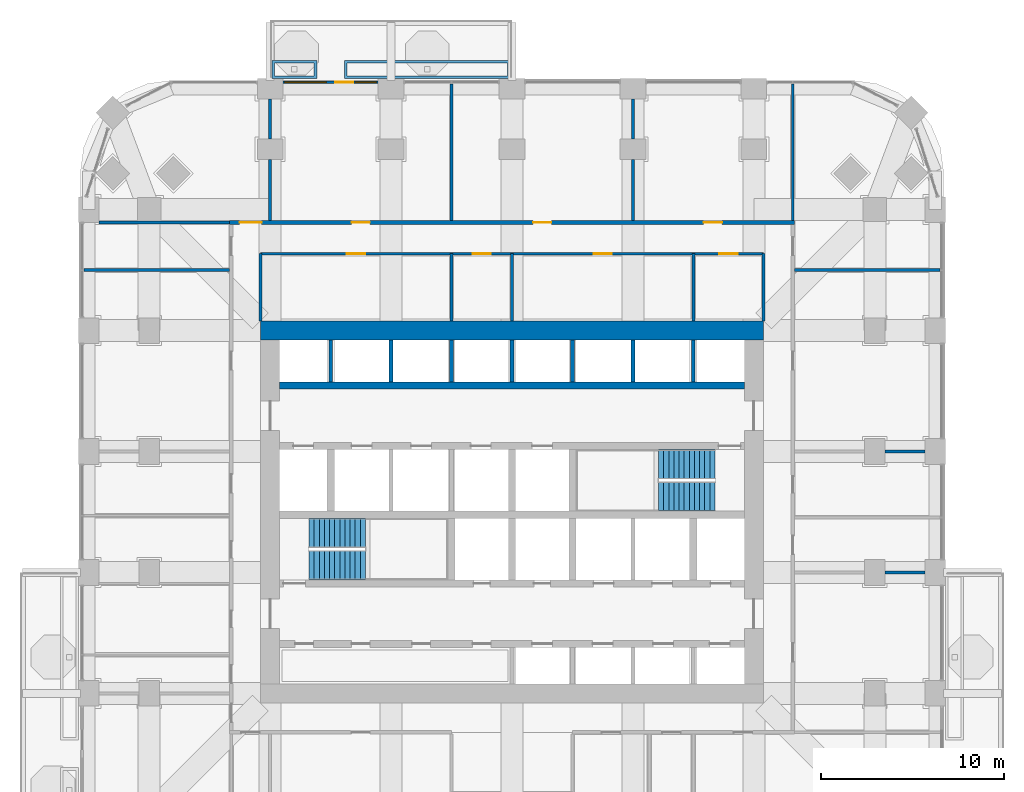
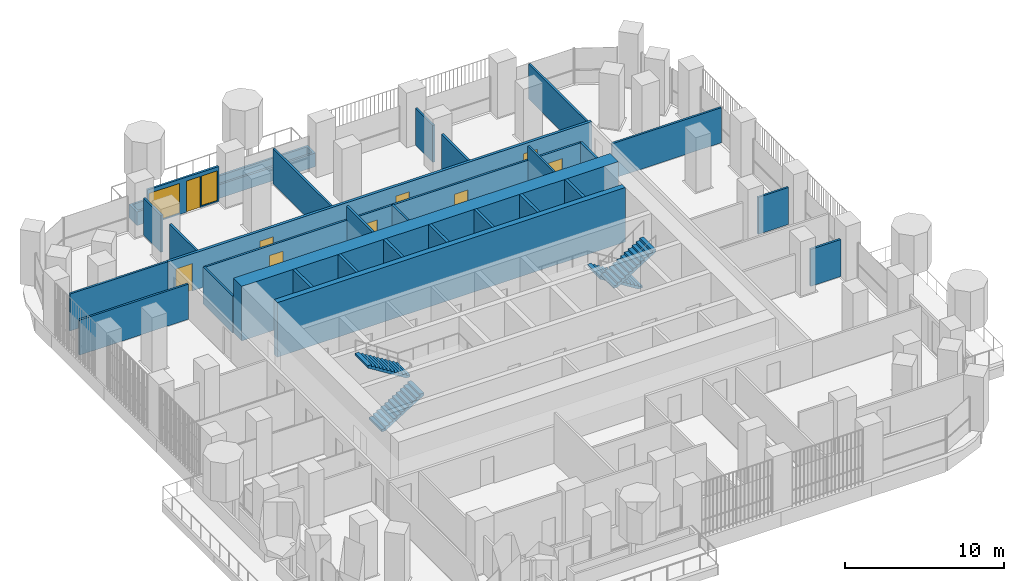
# One storey, part 16 of 21: 30 walls, 9 doors, 4 stair flights, 2 windows, 11 openings, 2 elements without a shape of their own.
"""IFC4 building model written with IfcOpenShell, lengths in metres."""

from ifc_helpers import new_model, si_unit, direction, frame, frame_2d, origin, place, context, subcontext, project, spatial, polyline, rectangle, outline, extrude, material, layer, layer_set, type_object, element, fill, aggregate, save


model = new_model("IFC4")

# Units and contexts
model_context = context("Model", 3, precision=1e-05, world=origin(), true_north=direction((0.0, 1.0)))
body_context = subcontext(model_context, "Body", "Model", "MODEL_VIEW")
ifc_project = project(units=[si_unit("LENGTHUNIT", "METRE"), si_unit("AREAUNIT", "SQUARE_METRE"), si_unit("VOLUMEUNIT", "CUBIC_METRE"), si_unit("PLANEANGLEUNIT", "RADIAN"), si_unit("MASSUNIT", "GRAM", prefix="KILO")], contexts=[model_context])

# Site, building, storey
site_placement = place(None, origin())
site = spatial("IfcSite", under=ifc_project, at=site_placement, CompositionType="ELEMENT")
building_placement = place(site_placement, origin())
building = spatial("IfcBuilding", under=site, at=building_placement, Name="Cobogo Forest Laboratory Tower", CompositionType="ELEMENT")
storey_placement = place(building_placement, frame((0.0, 0.0, 115.800048828125)))
storey = spatial("IfcBuildingStorey", under=building, at=storey_placement, Name="L26", CompositionType="ELEMENT", Elevation=115.800048828125)

# Walls
ifc_material_1 = material(Name="Concrete HA-50 (C50/60)", Category="concrete")
ifc_layer_1 = layer(ifc_material_1, 0.39990234375)
ifc_layer_set_1 = layer_set([ifc_layer_1], Name="CI400 core inner wall 400")
wall_type_1 = type_object("IfcWallType", Name="CI400 core inner wall 400", PredefinedType="SHEAR", material=ifc_layer_set_1)
wall_1_placement = place(storey_placement, frame((13.72509765625, 30.0, 0.0), z_axis=(0.0, 0.0, 1.0), x_axis=(1.0, 0.0, 0.0)))
element("IfcWall", 1, at=wall_1_placement, inside=storey, type_object=wall_type_1, Name="Core wall CI-30.0 L26", PredefinedType="SHEAR", context=body_context, shape_type="SweptSolid", body=[
    extrude(rectangle(XDim=25.349853515625, YDim=0.39990234375, at=frame_2d((12.6748046875, 0.0))), origin(), (0.0, 0.0, 1.0), 4.199951171875),
])
ifc_layer_2 = layer(ifc_material_1, 1.050048828125)
ifc_layer_set_2 = layer_set([ifc_layer_2], Name="CW1050 core outer wall 1050")
wall_type_2 = type_object("IfcWallType", Name="CW1050 core outer wall 1050", PredefinedType="SHEAR", material=ifc_layer_set_2)
wall_2_placement = place(storey_placement, frame((40.125, 33.0, 0.0), z_axis=(0.0, 0.0, 1.0), x_axis=(-1.0, 0.0, 0.0)))
element("IfcWall", 2, at=wall_2_placement, inside=storey, type_object=wall_type_2, Name="Core wall CO-N L26", PredefinedType="SHEAR", context=body_context, shape_type="SweptSolid", body=[
    extrude(rectangle(XDim=27.449951171875, YDim=1.050048828125, at=frame_2d((13.72509765625, 0.0))), origin(), (0.0, 0.0, 1.0), 4.199951171875),
])

# Wall, openings, door, windows
ifc_material_2 = material(Name="Aluminium framed glazed screen", Category="aluminium")
ifc_layer_3 = layer(ifc_material_2, 0.14990234375)
ifc_layer_set_3 = layer_set([ifc_layer_3], Name="GS1 glazed door screen 150")
wall_type_3 = type_object("IfcWallType", Name="GS1 glazed door screen 150", PredefinedType="SOLIDWALL", material=ifc_layer_set_3)
wall_3_placement = place(storey_placement, frame((19.10009765625, 46.550048828125, 0.0), z_axis=(0.0, 0.0, 1.0), x_axis=(-1.0, 0.0, 0.0)))
wall_3 = element("IfcWall", 3, at=wall_3_placement, inside=storey, type_object=wall_type_3, Name="Door screen BAL-N1 L26", PredefinedType="SOLIDWALL", context=body_context, shape_type="SweptSolid", body=[
    extrude(rectangle(XDim=5.2001953125, YDim=0.14990234375, at=frame_2d((2.60009765625, 0.0))), origin(), (0.0, 0.0, 1.0), 2.699951171875),
])
opening_1_placement = place(wall_3_placement, frame((1.35009765625, 0.0, 0.0)))
opening_1 = element("IfcOpeningElement", 4, at=opening_1_placement, cuts=wall_3, Name="Opening L26-D45", PredefinedType="OPENING", context=body_context, shape_type="SweptSolid", body=[
    extrude(rectangle(XDim=1.0, YDim=2.39990234375, at=frame_2d((0.5, 1.199951171875))), frame((0.0, 0.0849609375, 0.0), z_axis=(0.0, -1.0, 0.0), x_axis=(1.0, 0.0, 0.0)), (0.0, 0.0, 1.0), 0.169921875),
])
opening_2_placement = place(wall_3_placement, frame((0.10009765625, 0.0, 0.10009765625)))
opening_2 = element("IfcOpeningElement", 5, at=opening_2_placement, cuts=wall_3, Name="Opening L26-W08", PredefinedType="OPENING", context=body_context, shape_type="SweptSolid", body=[
    extrude(rectangle(XDim=1.14990234375, YDim=2.300048828125, at=frame_2d((0.574951171875, 1.14990234375))), frame((0.0, 0.0849609375, 0.0), z_axis=(0.0, -1.0, 0.0), x_axis=(1.0, 0.0, 0.0)), (0.0, 0.0, 1.0), 0.169921875),
])
opening_3_placement = place(wall_3_placement, frame((2.85009765625, 0.0, 0.10009765625)))
opening_3 = element("IfcOpeningElement", 6, at=opening_3_placement, cuts=wall_3, Name="Opening L26-W07", PredefinedType="OPENING", context=body_context, shape_type="SweptSolid", body=[
    extrude(rectangle(XDim=2.25, YDim=2.300048828125, at=frame_2d((1.125, 1.14990234375))), frame((0.0, 0.0849609375, 0.0), z_axis=(0.0, -1.0, 0.0), x_axis=(1.0, 0.0, 0.0)), (0.0, 0.0, 1.0), 0.169921875),
])
ifc_material_3 = material(Name="Aluminium glazed door", Category="aluminium")
door_type_1 = type_object("IfcDoorType", Name="DB1 balcony door 1000 glazed", OperationType="SINGLE_SWING_LEFT", PredefinedType="DOOR", material=ifc_material_3)
door_1_placement = place(opening_1_placement, origin())
door_1 = element("IfcDoor", 7, at=door_1_placement, inside=storey, type_object=door_type_1, Name="Door L26-BAL-N1", OperationType="SINGLE_SWING_LEFT", OverallHeight=2.39990234375, OverallWidth=1.0, PredefinedType="DOOR", context=body_context, shape_type="SweptSolid", body=[
    extrude(rectangle(XDim=1.0, YDim=2.39990234375, at=frame_2d((0.5, 1.199951171875))), frame((0.0, 0.02490234375, 0.0), z_axis=(0.0, -1.0, 0.0), x_axis=(1.0, 0.0, 0.0)), (0.0, 0.0, 1.0), 0.050048828125),
])
fill(opening_1, door_1)
ifc_material_4 = material(Name="Aluminium framed glazing", Category="aluminium")
window_type_1 = type_object("IfcWindowType", Name="WG15 fixed glazed light 2250x2300", PartitioningType="SINGLE_PANEL", PredefinedType="WINDOW", material=ifc_material_4)
window_1_placement = place(opening_3_placement, origin())
window_1 = element("IfcWindow", 8, at=window_1_placement, inside=storey, type_object=window_type_1, Name="Window L26-BAL-N1-2", OverallHeight=2.300048828125, OverallWidth=2.25, PartitioningType="SINGLE_PANEL", PredefinedType="WINDOW", context=body_context, shape_type="SweptSolid", body=[
    extrude(rectangle(XDim=2.25, YDim=2.300048828125, at=frame_2d((1.125, 1.14990234375))), frame((0.0, 0.030029296875, 0.0), z_axis=(0.0, -1.0, 0.0), x_axis=(1.0, 0.0, 0.0)), (0.0, 0.0, 1.0), 0.06005859375),
])
fill(opening_3, window_1)
window_type_2 = type_object("IfcWindowType", Name="WG16 fixed glazed light 1150x2300", PartitioningType="SINGLE_PANEL", PredefinedType="WINDOW", material=ifc_material_4)
window_2_placement = place(opening_2_placement, origin())
window_2 = element("IfcWindow", 9, at=window_2_placement, inside=storey, type_object=window_type_2, Name="Window L26-BAL-N1-1", OverallHeight=2.300048828125, OverallWidth=1.14990234375, PartitioningType="SINGLE_PANEL", PredefinedType="WINDOW", context=body_context, shape_type="SweptSolid", body=[
    extrude(rectangle(XDim=1.14990234375, YDim=2.300048828125, at=frame_2d((0.574951171875, 1.14990234375))), frame((0.0, 0.030029296875, 0.0), z_axis=(0.0, -1.0, 0.0), x_axis=(1.0, 0.0, 0.0)), (0.0, 0.0, 1.0), 0.06005859375),
])
fill(opening_2, window_2)

# Wall, openings, doors
ifc_material_5 = material(Name="Gypsum board on steel studs", Category="steel")
ifc_layer_4 = layer(ifc_material_5, 0.14990234375)
ifc_layer_set_4 = layer_set([ifc_layer_4], Name="PT1 laboratory partition 150")
wall_type_4 = type_object("IfcWallType", Name="PT1 laboratory partition 150", PredefinedType="PARTITIONING", material=ifc_layer_set_4)
wall_4_placement = place(storey_placement, frame((12.675048828125, 37.199951171875, 0.0), z_axis=(0.0, 0.0, 1.0), x_axis=(1.0, 0.0, 0.0)))
wall_4 = element("IfcWall", 10, at=wall_4_placement, inside=storey, type_object=wall_type_4, Name="Partition CSTRIP-N L26", PredefinedType="PARTITIONING", context=body_context, shape_type="SweptSolid", body=[
    extrude(rectangle(XDim=27.449951171875, YDim=0.14990234375, at=frame_2d((13.72509765625, 0.0))), origin(), (0.0, 0.0, 1.0), 2.849853515625),
])
opening_4_placement = place(wall_4_placement, frame((4.71240234375, 0.0, 0.0)))
opening_4 = element("IfcOpeningElement", 11, at=opening_4_placement, cuts=wall_4, Name="Opening L26-D35", PredefinedType="OPENING", context=body_context, shape_type="SweptSolid", body=[
    extrude(rectangle(XDim=1.0, YDim=2.10009765625, at=frame_2d((0.5, 1.050048828125))), frame((0.0, 0.0849609375, 0.0), z_axis=(0.0, -1.0, 0.0), x_axis=(1.0, 0.0, 0.0)), (0.0, 0.0, 1.0), 0.169921875),
])
opening_5_placement = place(wall_4_placement, frame((11.574951171875, 0.0, 0.0)))
opening_5 = element("IfcOpeningElement", 12, at=opening_5_placement, cuts=wall_4, Name="Opening L26-D36", PredefinedType="OPENING", context=body_context, shape_type="SweptSolid", body=[
    extrude(rectangle(XDim=1.0, YDim=2.10009765625, at=frame_2d((0.5, 1.050048828125))), frame((0.0, 0.0849609375, 0.0), z_axis=(0.0, -1.0, 0.0), x_axis=(1.0, 0.0, 0.0)), (0.0, 0.0, 1.0), 0.169921875),
])
opening_6_placement = place(wall_4_placement, frame((18.175048828125, 0.0, 0.0)))
opening_6 = element("IfcOpeningElement", 13, at=opening_6_placement, cuts=wall_4, Name="Opening L26-D37", PredefinedType="OPENING", context=body_context, shape_type="SweptSolid", body=[
    extrude(rectangle(XDim=1.0, YDim=2.10009765625, at=frame_2d((0.5, 1.050048828125))), frame((0.0, 0.0849609375, 0.0), z_axis=(0.0, -1.0, 0.0), x_axis=(1.0, 0.0, 0.0)), (0.0, 0.0, 1.0), 0.169921875),
])
opening_7_placement = place(wall_4_placement, frame((25.03759765625, 0.0, 0.0)))
opening_7 = element("IfcOpeningElement", 14, at=opening_7_placement, cuts=wall_4, Name="Opening L26-D38", PredefinedType="OPENING", context=body_context, shape_type="SweptSolid", body=[
    extrude(rectangle(XDim=1.0, YDim=2.10009765625, at=frame_2d((0.5, 1.050048828125))), frame((0.0, 0.0849609375, 0.0), z_axis=(0.0, -1.0, 0.0), x_axis=(1.0, 0.0, 0.0)), (0.0, 0.0, 1.0), 0.169921875),
])
ifc_material_6 = material(Name="Timber fire door", Category="wood")
door_type_2 = type_object("IfcDoorType", Name="FD2 fire door 1000 EI2 30", OperationType="SINGLE_SWING_LEFT", PredefinedType="DOOR", material=ifc_material_6)
door_2_placement = place(opening_4_placement, origin())
door_2 = element("IfcDoor", 15, at=door_2_placement, inside=storey, type_object=door_type_2, Name="Door L26-CSN1", OperationType="SINGLE_SWING_LEFT", OverallHeight=2.10009765625, OverallWidth=1.0, PredefinedType="DOOR", context=body_context, shape_type="SweptSolid", body=[
    extrude(rectangle(XDim=1.0, YDim=2.10009765625, at=frame_2d((0.5, 1.050048828125))), frame((0.0, 0.02490234375, 0.0), z_axis=(0.0, -1.0, 0.0), x_axis=(1.0, 0.0, 0.0)), (0.0, 0.0, 1.0), 0.050048828125),
])
fill(opening_4, door_2)
door_3_placement = place(opening_5_placement, origin())
door_3 = element("IfcDoor", 16, at=door_3_placement, inside=storey, type_object=door_type_2, Name="Door L26-CSN2", OperationType="SINGLE_SWING_LEFT", OverallHeight=2.10009765625, OverallWidth=1.0, PredefinedType="DOOR", context=body_context, shape_type="SweptSolid", body=[
    extrude(rectangle(XDim=1.0, YDim=2.10009765625, at=frame_2d((0.5, 1.050048828125))), frame((0.0, 0.02490234375, 0.0), z_axis=(0.0, -1.0, 0.0), x_axis=(1.0, 0.0, 0.0)), (0.0, 0.0, 1.0), 0.050048828125),
])
fill(opening_5, door_3)
door_4_placement = place(opening_6_placement, origin())
door_4 = element("IfcDoor", 17, at=door_4_placement, inside=storey, type_object=door_type_2, Name="Door L26-CSN3", OperationType="SINGLE_SWING_RIGHT", OverallHeight=2.10009765625, OverallWidth=1.0, PredefinedType="DOOR", context=body_context, shape_type="SweptSolid", body=[
    extrude(rectangle(XDim=1.0, YDim=2.10009765625, at=frame_2d((0.5, 1.050048828125))), frame((0.0, 0.02490234375, 0.0), z_axis=(0.0, -1.0, 0.0), x_axis=(1.0, 0.0, 0.0)), (0.0, 0.0, 1.0), 0.050048828125),
])
fill(opening_6, door_4)
door_5_placement = place(opening_7_placement, origin())
door_5 = element("IfcDoor", 18, at=door_5_placement, inside=storey, type_object=door_type_2, Name="Door L26-CSN4", OperationType="SINGLE_SWING_RIGHT", OverallHeight=2.10009765625, OverallWidth=1.0, PredefinedType="DOOR", context=body_context, shape_type="SweptSolid", body=[
    extrude(rectangle(XDim=1.0, YDim=2.10009765625, at=frame_2d((0.5, 1.050048828125))), frame((0.0, 0.02490234375, 0.0), z_axis=(0.0, -1.0, 0.0), x_axis=(1.0, 0.0, 0.0)), (0.0, 0.0, 1.0), 0.050048828125),
])
fill(opening_7, door_5)

# Walls
for number, where, z_axis, x_axis, name in (
    (19, (12.675048828125, 33.52490234375, 0.0), (0.0, 0.0, 1.0), (0.0, 1.0, 0.0), "Partition CSTRIP-NW L26"),
    (20, (40.125, 33.52490234375, 0.0), (0.0, 0.0, 1.0), (0.0, 1.0, 0.0), "Partition CSTRIP-NE L26"),
):
    element("IfcWall", number, at=place(storey_placement, frame(where, z_axis=z_axis, x_axis=x_axis)), inside=storey, type_object=wall_type_4, Name=name, PredefinedType="PARTITIONING", context=body_context, shape_type="SweptSolid", body=[
        extrude(rectangle(XDim=3.675048828125, YDim=0.14990234375, at=frame_2d((1.83740234375, 0.0))), origin(), (0.0, 0.0, 1.0), 2.849853515625),
    ])
wall_5_placement = place(storey_placement, frame((23.10009765625, 33.52490234375, 0.0), z_axis=(0.0, 0.0, 1.0), x_axis=(0.0, 1.0, 0.0)))
element("IfcWall", 21, at=wall_5_placement, inside=storey, type_object=wall_type_4, Name="Partition CSTRIP-N23.1 L26", PredefinedType="PARTITIONING", context=body_context, shape_type="SweptSolid", body=[
    extrude(rectangle(XDim=3.675048828125, YDim=0.14990234375, at=frame_2d((1.83740234375, 0.0))), origin(), (0.0, 0.0, 1.0), 3.89990234375),
])
wall_6_placement = place(storey_placement, frame((26.39990234375, 33.52490234375, 0.0), z_axis=(0.0, 0.0, 1.0), x_axis=(0.0, 1.0, 0.0)))
element("IfcWall", 22, at=wall_6_placement, inside=storey, type_object=wall_type_4, Name="Partition CSTRIP-N26.4 L26", PredefinedType="PARTITIONING", context=body_context, shape_type="SweptSolid", body=[
    extrude(rectangle(XDim=3.675048828125, YDim=0.14990234375, at=frame_2d((1.83740234375, 0.0))), origin(), (0.0, 0.0, 1.0), 2.849853515625),
])
wall_7_placement = place(storey_placement, frame((36.300048828125, 33.52490234375, 0.0), z_axis=(0.0, 0.0, 1.0), x_axis=(0.0, 1.0, 0.0)))
element("IfcWall", 23, at=wall_7_placement, inside=storey, type_object=wall_type_4, Name="Partition CSTRIP-N36.3 L26", PredefinedType="PARTITIONING", context=body_context, shape_type="SweptSolid", body=[
    extrude(rectangle(XDim=3.675048828125, YDim=0.14990234375, at=frame_2d((1.83740234375, 0.0))), origin(), (0.0, 0.0, 1.0), 3.89990234375),
])
wall_8_placement = place(storey_placement, frame((41.72509765625, 46.469970703125, 0.0), z_axis=(0.0, 0.0, 1.0), x_axis=(0.0, -1.0, 0.0)))
element("IfcWall", 24, at=wall_8_placement, inside=storey, type_object=wall_type_4, Name="Partition PW-NE L26", PredefinedType="PARTITIONING", context=body_context, shape_type="SweptSolid", body=[
    extrude(rectangle(XDim=7.469970703125, YDim=0.14990234375, at=frame_2d((3.73486328125, 0.0))), origin(), (0.0, 0.0, 1.0), 2.699951171875),
])
wall_9_placement = place(storey_placement, frame((3.85009765625, 38.89990234375, 0.0), z_axis=(0.0, 0.0, 1.0), x_axis=(1.0, 0.0, 0.0)))
element("IfcWall", 25, at=wall_9_placement, inside=storey, type_object=wall_type_4, Name="Partition PW-NW L26", PredefinedType="PARTITIONING", context=body_context, shape_type="SweptSolid", body=[
    extrude(rectangle(XDim=7.125, YDim=0.14990234375, at=frame_2d((3.5625, 0.0))), origin(), (0.0, 0.0, 1.0), 2.849853515625),
])
for number, where, z_axis, x_axis, name in (
    (26, (48.949951171875, 19.800048828125, 0.0), (0.0, 0.0, 1.0), (-1.0, 0.0, 0.0), "Partition CUT-E19.8-1 L26"),
    (27, (48.949951171875, 26.39990234375, 0.0), (0.0, 0.0, 1.0), (-1.0, 0.0, 0.0), "Partition CUT-E26.4-1 L26"),
):
    element("IfcWall", number, at=place(storey_placement, frame(where, z_axis=z_axis, x_axis=x_axis)), inside=storey, type_object=wall_type_4, Name=name, PredefinedType="PARTITIONING", context=body_context, shape_type="SweptSolid", body=[
        extrude(rectangle(XDim=2.199951171875, YDim=0.14990234375, at=frame_2d((1.10009765625, 0.0))), origin(), (0.0, 0.0, 1.0), 2.849853515625),
    ])
wall_10_placement = place(storey_placement, frame((49.77001953125, 36.300048828125, 0.0), z_axis=(0.0, 0.0, 1.0), x_axis=(-1.0, 0.0, 0.0)))
element("IfcWall", 28, at=wall_10_placement, inside=storey, type_object=wall_type_4, Name="Partition CUT-E36.3-1 L26", PredefinedType="PARTITIONING", context=body_context, shape_type="SweptSolid", body=[
    extrude(rectangle(XDim=7.945068359375, YDim=0.14990234375, at=frame_2d((3.97265625, 0.0))), origin(), (0.0, 0.0, 1.0), 2.699951171875),
])
wall_11_placement = place(storey_placement, frame((13.199951171875, 45.64990234375, 0.0), z_axis=(0.0, 0.0, 1.0), x_axis=(0.0, -1.0, 0.0)))
element("IfcWall", 29, at=wall_11_placement, inside=storey, type_object=wall_type_4, Name="Partition CUT-N13.2-1 L26", PredefinedType="PARTITIONING", context=body_context, shape_type="SweptSolid", body=[
    extrude(rectangle(XDim=2.199951171875, YDim=0.14990234375, at=frame_2d((1.10009765625, 0.0))), origin(), (0.0, 0.0, 1.0), 2.849853515625),
])
wall_12_placement = place(storey_placement, frame((13.199951171875, 42.35009765625, 0.0), z_axis=(0.0, 0.0, 1.0), x_axis=(0.0, -1.0, 0.0)))
element("IfcWall", 30, at=wall_12_placement, inside=storey, type_object=wall_type_4, Name="Partition CUT-N13.2-2 L26", PredefinedType="PARTITIONING", context=body_context, shape_type="SweptSolid", body=[
    extrude(rectangle(XDim=3.35009765625, YDim=0.14990234375, at=frame_2d((1.675048828125, 0.0))), origin(), (0.0, 0.0, 1.0), 2.849853515625),
])
wall_13_placement = place(storey_placement, frame((23.10009765625, 46.469970703125, 0.0), z_axis=(0.0, 0.0, 1.0), x_axis=(0.0, -1.0, 0.0)))
element("IfcWall", 31, at=wall_13_placement, inside=storey, type_object=wall_type_4, Name="Partition CUT-N23.1-1 L26", PredefinedType="PARTITIONING", context=body_context, shape_type="SweptSolid", body=[
    extrude(rectangle(XDim=7.469970703125, YDim=0.14990234375, at=frame_2d((3.73486328125, 0.0))), origin(), (0.0, 0.0, 1.0), 2.699951171875),
])
wall_14_placement = place(storey_placement, frame((33.0, 45.64990234375, 0.0), z_axis=(0.0, 0.0, 1.0), x_axis=(0.0, -1.0, 0.0)))
element("IfcWall", 32, at=wall_14_placement, inside=storey, type_object=wall_type_4, Name="Partition CUT-N33-1 L26", PredefinedType="PARTITIONING", context=body_context, shape_type="SweptSolid", body=[
    extrude(rectangle(XDim=2.199951171875, YDim=0.14990234375, at=frame_2d((1.10009765625, 0.0))), origin(), (0.0, 0.0, 1.0), 2.849853515625),
])
wall_15_placement = place(storey_placement, frame((33.0, 42.35009765625, 0.0), z_axis=(0.0, 0.0, 1.0), x_axis=(0.0, -1.0, 0.0)))
element("IfcWall", 33, at=wall_15_placement, inside=storey, type_object=wall_type_4, Name="Partition CUT-N33-2 L26", PredefinedType="PARTITIONING", context=body_context, shape_type="SweptSolid", body=[
    extrude(rectangle(XDim=3.35009765625, YDim=0.14990234375, at=frame_2d((1.675048828125, 0.0))), origin(), (0.0, 0.0, 1.0), 2.849853515625),
])
wall_16_placement = place(storey_placement, frame((3.030029296875, 36.300048828125, 0.0), z_axis=(0.0, 0.0, 1.0), x_axis=(1.0, 0.0, 0.0)))
element("IfcWall", 34, at=wall_16_placement, inside=storey, type_object=wall_type_4, Name="Partition CUT-W36.3-1 L26", PredefinedType="PARTITIONING", context=body_context, shape_type="SweptSolid", body=[
    extrude(rectangle(XDim=7.945068359375, YDim=0.14990234375, at=frame_2d((3.97265625, 0.0))), origin(), (0.0, 0.0, 1.0), 2.699951171875),
])

# Wall, openings, doors
ifc_layer_5 = layer(ifc_material_5, 0.199951171875)
ifc_layer_set_5 = layer_set([ifc_layer_5], Name="PT2 fire-rated corridor partition 200")
wall_type_5 = type_object("IfcWallType", Name="PT2 fire-rated corridor partition 200", PredefinedType="PARTITIONING", material=ifc_layer_set_5)
wall_17_placement = place(storey_placement, frame((10.97509765625, 38.89990234375, 0.0), z_axis=(0.0, 0.0, 1.0), x_axis=(1.0, 0.0, 0.0)))
wall_17 = element("IfcWall", 35, at=wall_17_placement, inside=storey, type_object=wall_type_5, Name="Partition CORR-N L26", PredefinedType="PARTITIONING", context=body_context, shape_type="SweptSolid", body=[
    extrude(rectangle(XDim=30.849853515625, YDim=0.199951171875, at=frame_2d((15.4248046875, 0.0))), origin(), (0.0, 0.0, 1.0), 2.849853515625),
])
opening_8_placement = place(wall_17_placement, frame((0.5625, 0.0, 0.0)))
opening_8 = element("IfcOpeningElement", 36, at=opening_8_placement, cuts=wall_17, Name="Opening L26-D41", PredefinedType="OPENING", context=body_context, shape_type="SweptSolid", body=[
    extrude(rectangle(XDim=1.199951171875, YDim=2.10009765625, at=frame_2d((0.60009765625, 1.050048828125))), frame((0.0, 0.10986328125, 0.0), z_axis=(0.0, -1.0, 0.0), x_axis=(1.0, 0.0, 0.0)), (0.0, 0.0, 1.0), 0.219970703125),
])
opening_9_placement = place(wall_17_placement, frame((6.675048828125, 0.0, 0.0)))
opening_9 = element("IfcOpeningElement", 37, at=opening_9_placement, cuts=wall_17, Name="Opening L26-D42", PredefinedType="OPENING", context=body_context, shape_type="SweptSolid", body=[
    extrude(rectangle(XDim=1.0, YDim=2.10009765625, at=frame_2d((0.5, 1.050048828125))), frame((0.0, 0.10986328125, 0.0), z_axis=(0.0, -1.0, 0.0), x_axis=(1.0, 0.0, 0.0)), (0.0, 0.0, 1.0), 0.219970703125),
])
opening_10_placement = place(wall_17_placement, frame((16.574951171875, 0.0, 0.0)))
opening_10 = element("IfcOpeningElement", 38, at=opening_10_placement, cuts=wall_17, Name="Opening L26-D43", PredefinedType="OPENING", context=body_context, shape_type="SweptSolid", body=[
    extrude(rectangle(XDim=1.0, YDim=2.10009765625, at=frame_2d((0.5, 1.050048828125))), frame((0.0, 0.10986328125, 0.0), z_axis=(0.0, -1.0, 0.0), x_axis=(1.0, 0.0, 0.0)), (0.0, 0.0, 1.0), 0.219970703125),
])
opening_11_placement = place(wall_17_placement, frame((25.887451171875, 0.0, 0.0)))
opening_11 = element("IfcOpeningElement", 39, at=opening_11_placement, cuts=wall_17, Name="Opening L26-D44", PredefinedType="OPENING", context=body_context, shape_type="SweptSolid", body=[
    extrude(rectangle(XDim=1.0, YDim=2.10009765625, at=frame_2d((0.5, 1.050048828125))), frame((0.0, 0.10986328125, 0.0), z_axis=(0.0, -1.0, 0.0), x_axis=(1.0, 0.0, 0.0)), (0.0, 0.0, 1.0), 0.219970703125),
])
ifc_material_7 = material(Name="Timber door", Category="wood")
door_type_3 = type_object("IfcDoorType", Name="D2 laboratory door 1200 unequal pair", OperationType="DOUBLE_DOOR_SINGLE_SWING", PredefinedType="DOOR", material=ifc_material_7)
door_6_placement = place(opening_8_placement, origin())
door_6 = element("IfcDoor", 40, at=door_6_placement, inside=storey, type_object=door_type_3, Name="Door L26-N1", OperationType="DOUBLE_DOOR_SINGLE_SWING", OverallHeight=2.10009765625, OverallWidth=1.199951171875, PredefinedType="DOOR", context=body_context, shape_type="SweptSolid", body=[
    extrude(rectangle(XDim=1.199951171875, YDim=2.10009765625, at=frame_2d((0.60009765625, 1.050048828125))), frame((0.0, 0.02490234375, 0.0), z_axis=(0.0, -1.0, 0.0), x_axis=(1.0, 0.0, 0.0)), (0.0, 0.0, 1.0), 0.050048828125),
])
fill(opening_8, door_6)
door_7_placement = place(opening_9_placement, origin())
door_7 = element("IfcDoor", 41, at=door_7_placement, inside=storey, type_object=door_type_2, Name="Door L26-N2", OperationType="SINGLE_SWING_LEFT", OverallHeight=2.10009765625, OverallWidth=1.0, PredefinedType="DOOR", context=body_context, shape_type="SweptSolid", body=[
    extrude(rectangle(XDim=1.0, YDim=2.10009765625, at=frame_2d((0.5, 1.050048828125))), frame((0.0, 0.02490234375, 0.0), z_axis=(0.0, -1.0, 0.0), x_axis=(1.0, 0.0, 0.0)), (0.0, 0.0, 1.0), 0.050048828125),
])
fill(opening_9, door_7)
door_8_placement = place(opening_10_placement, origin())
door_8 = element("IfcDoor", 42, at=door_8_placement, inside=storey, type_object=door_type_2, Name="Door L26-N3", OperationType="SINGLE_SWING_RIGHT", OverallHeight=2.10009765625, OverallWidth=1.0, PredefinedType="DOOR", context=body_context, shape_type="SweptSolid", body=[
    extrude(rectangle(XDim=1.0, YDim=2.10009765625, at=frame_2d((0.5, 1.050048828125))), frame((0.0, 0.02490234375, 0.0), z_axis=(0.0, -1.0, 0.0), x_axis=(1.0, 0.0, 0.0)), (0.0, 0.0, 1.0), 0.050048828125),
])
fill(opening_10, door_8)
door_9_placement = place(opening_11_placement, origin())
door_9 = element("IfcDoor", 43, at=door_9_placement, inside=storey, type_object=door_type_2, Name="Door L26-N4", OperationType="SINGLE_SWING_RIGHT", OverallHeight=2.10009765625, OverallWidth=1.0, PredefinedType="DOOR", context=body_context, shape_type="SweptSolid", body=[
    extrude(rectangle(XDim=1.0, YDim=2.10009765625, at=frame_2d((0.5, 1.050048828125))), frame((0.0, 0.02490234375, 0.0), z_axis=(0.0, -1.0, 0.0), x_axis=(1.0, 0.0, 0.0)), (0.0, 0.0, 1.0), 0.050048828125),
])
fill(opening_11, door_9)

# Walls
ifc_material_8 = material(Name="Concrete HA-40 (C40/50)", Category="concrete")
ifc_layer_6 = layer(ifc_material_8, 0.14990234375)
ifc_layer_set_6 = layer_set([ifc_layer_6], Name="Planter box 1000x1050")
wall_type_6 = type_object("IfcWallType", Name="Planter box 1000x1050", PredefinedType="USERDEFINED", material=ifc_layer_set_6)
wall_18_placement = place(storey_placement, origin())
element("IfcWall", 44, at=wall_18_placement, inside=storey, type_object=wall_type_6, Name="Planter BAL-N1-1 L26", ObjectType="PLANTER", PredefinedType="USERDEFINED", context=body_context, shape_type="SweptSolid", body=[
    extrude(outline(polyline([(13.300048828125, 46.75), (15.75, 46.75), (15.75, 47.75), (13.300048828125, 47.75), (13.300048828125, 46.75)]), holes=[polyline([(13.449951171875, 46.89990234375), (15.60009765625, 46.89990234375), (15.60009765625, 47.60009765625), (13.449951171875, 47.60009765625), (13.449951171875, 46.89990234375)])]), origin(), (0.0, 0.0, 1.0), 1.050048828125),
])
wall_19_placement = place(storey_placement, origin())
element("IfcWall", 45, at=wall_19_placement, inside=storey, type_object=wall_type_6, Name="Planter BAL-N1-2 L26", ObjectType="PLANTER", PredefinedType="USERDEFINED", context=body_context, shape_type="SweptSolid", body=[
    extrude(outline(polyline([(17.25, 46.75), (26.300048828125, 46.75), (26.300048828125, 47.75), (17.25, 47.75), (17.25, 46.75)]), holes=[polyline([(17.39990234375, 46.89990234375), (26.14990234375, 46.89990234375), (26.14990234375, 47.60009765625), (17.39990234375, 47.60009765625), (17.39990234375, 46.89990234375)])]), origin(), (0.0, 0.0, 1.0), 1.050048828125),
])
ifc_material_9 = material(Name="Concrete block", Category="concrete")
ifc_layer_7 = layer(ifc_material_9, 0.199951171875)
ifc_layer_set_7 = layer_set([ifc_layer_7], Name="SW200 lift shaft separator 200")
wall_type_7 = type_object("IfcWallType", Name="SW200 lift shaft separator 200", PredefinedType="PARTITIONING", material=ifc_layer_set_7)
for number, where, z_axis, x_axis, name in (
    (46, (16.5, 30.199951171875, 0.0), (0.0, 0.0, 1.0), (0.0, 1.0, 0.0), "Core wall SEP-N1 L26"),
    (47, (19.800048828125, 30.199951171875, 0.0), (0.0, 0.0, 1.0), (0.0, 1.0, 0.0), "Core wall SEP-N2 L26"),
    (48, (23.10009765625, 30.199951171875, 0.0), (0.0, 0.0, 1.0), (0.0, 1.0, 0.0), "Core wall SEP-N3 L26"),
    (49, (26.39990234375, 30.199951171875, 0.0), (0.0, 0.0, 1.0), (0.0, 1.0, 0.0), "Core wall SEP-N4 L26"),
    (50, (29.699951171875, 30.199951171875, 0.0), (0.0, 0.0, 1.0), (0.0, 1.0, 0.0), "Core wall SEP-N5 L26"),
    (51, (33.0, 30.199951171875, 0.0), (0.0, 0.0, 1.0), (0.0, 1.0, 0.0), "Core wall SEP-N6 L26"),
    (52, (36.300048828125, 30.199951171875, 0.0), (0.0, 0.0, 1.0), (0.0, 1.0, 0.0), "Core wall SEP-N7 L26"),
):
    element("IfcWall", number, at=place(storey_placement, frame(where, z_axis=z_axis, x_axis=x_axis)), inside=storey, type_object=wall_type_7, Name=name, PredefinedType="PARTITIONING", context=body_context, shape_type="SweptSolid", body=[
        extrude(rectangle(XDim=2.275146484375, YDim=0.199951171875, at=frame_2d((1.1376953125, 0.0))), origin(), (0.0, 0.0, 1.0), 4.199951171875),
    ])

# Stair, stair flights
ifc_material_10 = material(Name="Precast concrete HA-40 (C40/50)", Category="concrete")
stair_type = type_object("IfcStairType", Name="ST24 exit stair 24 risers", PredefinedType="HALF_TURN_STAIR", material=ifc_material_10)
stair_1_placement = place(storey_placement, origin())
stair_1 = element("IfcStair", 53, at=stair_1_placement, inside=storey, type_object=stair_type, Name="Stair 1 L26 to L27", PredefinedType="HALF_TURN_STAIR")
stair_flight_type = type_object("IfcStairFlightType", Name="ST stair flight 280 going", PredefinedType="STRAIGHT", material=ifc_material_10)
stair_flight_1_placement = place(storey_placement, frame((15.324951171875, 20.199951171875, 0.0), z_axis=(0.0, 0.0, 1.0), x_axis=(1.0, 0.0, 0.0)))
stair_flight_1 = element("IfcStairFlight", 54, at=stair_flight_1_placement, type_object=stair_flight_type, Name="ST1 flight 1", NumberOfRisers=12, NumberOfTreads=11, PredefinedType="STRAIGHT", RiserHeight=0.175, TreadLength=0.28, context=body_context, shape_type="SweptSolid", body=[
    extrude(outline(polyline([(0.0, 0.0), (0.0, 0.175048828125), (0.280029296875, 0.175048828125), (0.280029296875, 0.35009765625), (0.56005859375, 0.35009765625), (0.56005859375, 0.52490234375), (0.840087890625, 0.52490234375), (0.840087890625, 0.699951171875), (1.1201171875, 0.699951171875), (1.1201171875, 0.875), (1.39990234375, 0.875), (1.39990234375, 1.050048828125), (1.679931640625, 1.050048828125), (1.679931640625, 1.22509765625), (1.9599609375, 1.22509765625), (1.9599609375, 1.39990234375), (2.239990234375, 1.39990234375), (2.239990234375, 1.574951171875), (2.52001953125, 1.574951171875), (2.52001953125, 1.75), (2.800048828125, 1.75), (2.800048828125, 1.925048828125), (3.080078125, 1.925048828125), (3.080078125, 2.10009765625), (3.080078125, 1.748291015625), (0.28271484375, 0.0), (0.0, 0.0)])), frame((0.0, 0.800048828125, 0.0), z_axis=(0.0, -1.0, 0.0), x_axis=(1.0, 0.0, 0.0)), (0.0, 0.0, 1.0), 1.60009765625),
])
stair_flight_2_placement = place(storey_placement, frame((18.405029296875, 21.949951171875, 2.099853515625), z_axis=(0.0, 0.0, 1.0), x_axis=(-1.0, 0.0, 0.0)))
stair_flight_2 = element("IfcStairFlight", 55, at=stair_flight_2_placement, type_object=stair_flight_type, Name="ST1 flight 2", NumberOfRisers=12, NumberOfTreads=11, PredefinedType="STRAIGHT", RiserHeight=0.175, TreadLength=0.28, context=body_context, shape_type="SweptSolid", body=[
    extrude(outline(polyline([(0.0, 0.0), (0.0, 0.175048828125), (0.280029296875, 0.175048828125), (0.280029296875, 0.35009765625), (0.56005859375, 0.35009765625), (0.56005859375, 0.52490234375), (0.840087890625, 0.52490234375), (0.840087890625, 0.699951171875), (1.1201171875, 0.699951171875), (1.1201171875, 0.875), (1.39990234375, 0.875), (1.39990234375, 1.050048828125), (1.679931640625, 1.050048828125), (1.679931640625, 1.22509765625), (1.9599609375, 1.22509765625), (1.9599609375, 1.39990234375), (2.239990234375, 1.39990234375), (2.239990234375, 1.574951171875), (2.52001953125, 1.574951171875), (2.52001953125, 1.75), (2.800048828125, 1.75), (2.800048828125, 1.925048828125), (3.080078125, 1.925048828125), (3.080078125, 2.10009765625), (3.080078125, 1.748291015625), (0.28271484375, 0.0), (0.0, 0.0)])), frame((0.0, 0.800048828125, 0.0), z_axis=(0.0, -1.0, 0.0), x_axis=(1.0, 0.0, 0.0)), (0.0, 0.0, 1.0), 1.60009765625),
])
aggregate(stair_1, [stair_flight_1, stair_flight_2])

stair_2_placement = place(storey_placement, origin())
stair_2 = element("IfcStair", 56, at=stair_2_placement, inside=storey, type_object=stair_type, Name="Stair 2 L26 to L27", PredefinedType="HALF_TURN_STAIR")
stair_flight_3_placement = place(storey_placement, frame((37.47509765625, 25.699951171875, 0.0), z_axis=(0.0, 0.0, 1.0), x_axis=(-1.0, 0.0, 0.0)))
stair_flight_3 = element("IfcStairFlight", 57, at=stair_flight_3_placement, type_object=stair_flight_type, Name="ST2 flight 1", NumberOfRisers=12, NumberOfTreads=11, PredefinedType="STRAIGHT", RiserHeight=0.175, TreadLength=0.28, context=body_context, shape_type="SweptSolid", body=[
    extrude(outline(polyline([(0.0, 0.0), (0.0, 0.175048828125), (0.280029296875, 0.175048828125), (0.280029296875, 0.35009765625), (0.56005859375, 0.35009765625), (0.56005859375, 0.52490234375), (0.840087890625, 0.52490234375), (0.840087890625, 0.699951171875), (1.1201171875, 0.699951171875), (1.1201171875, 0.875), (1.39990234375, 0.875), (1.39990234375, 1.050048828125), (1.679931640625, 1.050048828125), (1.679931640625, 1.22509765625), (1.9599609375, 1.22509765625), (1.9599609375, 1.39990234375), (2.239990234375, 1.39990234375), (2.239990234375, 1.574951171875), (2.52001953125, 1.574951171875), (2.52001953125, 1.75), (2.800048828125, 1.75), (2.800048828125, 1.925048828125), (3.080078125, 1.925048828125), (3.080078125, 2.10009765625), (3.080078125, 1.748291015625), (0.28271484375, 0.0), (0.0, 0.0)])), frame((0.0, 0.800048828125, 0.0), z_axis=(0.0, -1.0, 0.0), x_axis=(1.0, 0.0, 0.0)), (0.0, 0.0, 1.0), 1.60009765625),
])
stair_flight_4_placement = place(storey_placement, frame((34.39501953125, 23.949951171875, 2.099853515625), z_axis=(0.0, 0.0, 1.0), x_axis=(1.0, 0.0, 0.0)))
stair_flight_4 = element("IfcStairFlight", 58, at=stair_flight_4_placement, type_object=stair_flight_type, Name="ST2 flight 2", NumberOfRisers=12, NumberOfTreads=11, PredefinedType="STRAIGHT", RiserHeight=0.175, TreadLength=0.28, context=body_context, shape_type="SweptSolid", body=[
    extrude(outline(polyline([(0.0, 0.0), (0.0, 0.175048828125), (0.280029296875, 0.175048828125), (0.280029296875, 0.35009765625), (0.56005859375, 0.35009765625), (0.56005859375, 0.52490234375), (0.840087890625, 0.52490234375), (0.840087890625, 0.699951171875), (1.1201171875, 0.699951171875), (1.1201171875, 0.875), (1.39990234375, 0.875), (1.39990234375, 1.050048828125), (1.679931640625, 1.050048828125), (1.679931640625, 1.22509765625), (1.9599609375, 1.22509765625), (1.9599609375, 1.39990234375), (2.239990234375, 1.39990234375), (2.239990234375, 1.574951171875), (2.52001953125, 1.574951171875), (2.52001953125, 1.75), (2.800048828125, 1.75), (2.800048828125, 1.925048828125), (3.080078125, 1.925048828125), (3.080078125, 2.10009765625), (3.080078125, 1.748291015625), (0.28271484375, 0.0), (0.0, 0.0)])), frame((0.0, 0.800048828125, 0.0), z_axis=(0.0, -1.0, 0.0), x_axis=(1.0, 0.0, 0.0)), (0.0, 0.0, 1.0), 1.60009765625),
])
aggregate(stair_2, [stair_flight_3, stair_flight_4])

save(model, "model.ifc")
